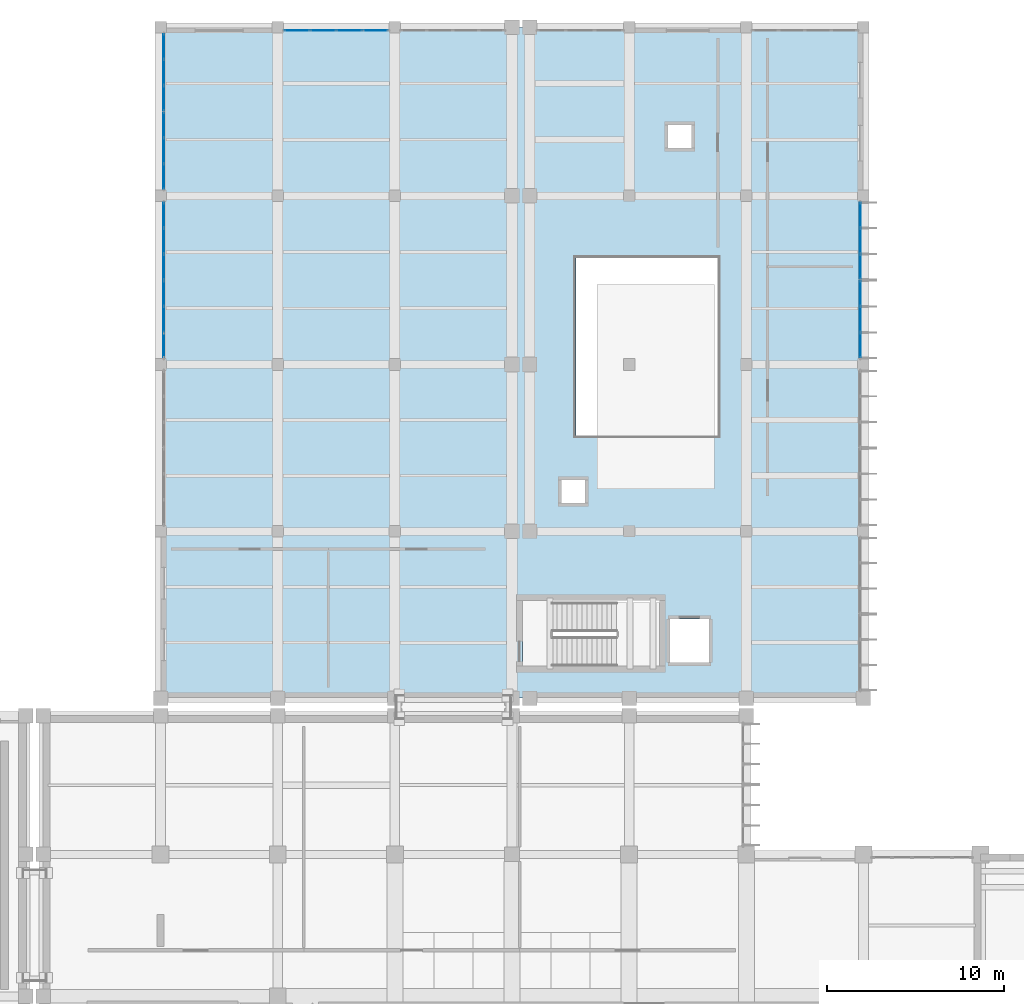
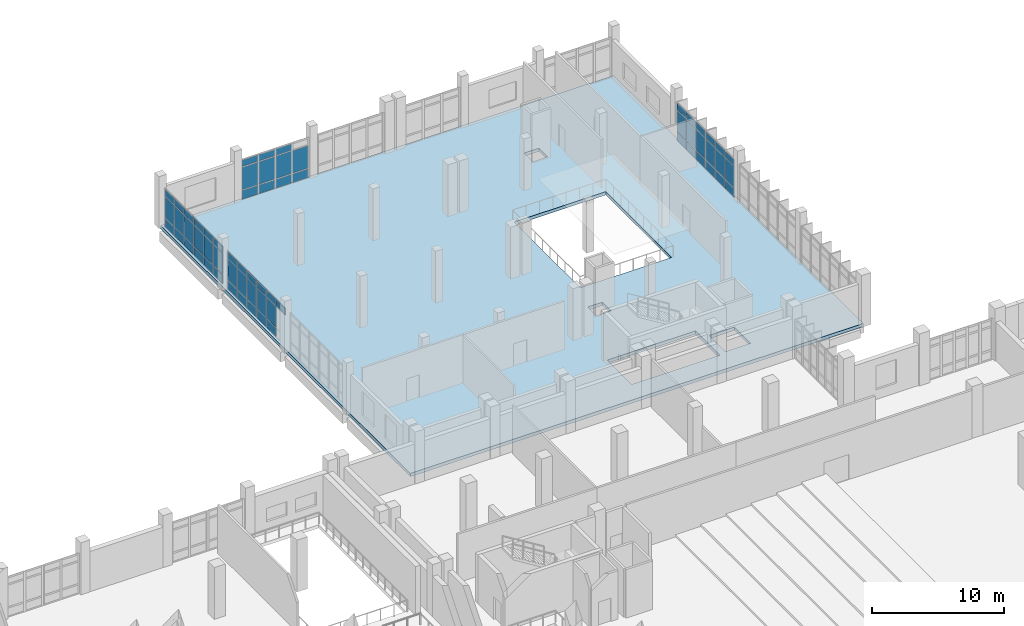
# One storey, part 59 of 90: 63 plates, 1 slab, 7 elements without a shape of their own.
"""IFC4 building model written with IfcOpenShell, lengths in metres."""

import ifcopenshell
import ifcopenshell.guid

model = None  # the IFC model being written
_history = None  # IfcOwnerHistory: only IFC2X3 demands one
_inside = {}  # id of a spatial element -> (the spatial element, [elements in it])
_under = {}  # id of a project, library or spatial element -> (it, [spatial elements below it])
_declared = {}  # id of a project -> (the project, [libraries it declares])
_typed = {}  # id of a type object -> (the type object, [elements of that type])
_made_of = {}  # id of a material, layer set ... -> (it, [elements and type objects made of it])


def new_model(schema):
    """Start an empty IFC model of exactly this schema.

    Asked for "IFC4X3", IfcOpenShell would pick the latest addendum, in which some entities
    have other attributes; the version numbers below select the first issue.
    IFC2X3 requires an IfcOwnerHistory on every rooted entity: one is made here for all.
    """
    global model, _history
    if schema == "IFC4X3":
        model = ifcopenshell.file(schema_version=(4, 3, 0, 0))
    else:
        model = ifcopenshell.file(schema=schema)
    _inside.clear()
    _under.clear()
    _declared.clear()
    _typed.clear()
    _made_of.clear()
    _history = None
    if model.schema == "IFC2X3":
        org = make("IfcOrganization", Name="unknown")
        user = make(
            "IfcPersonAndOrganization",
            ThePerson=make("IfcPerson", FamilyName="unknown"),
            TheOrganization=org,
        )
        app = make(
            "IfcApplication",
            ApplicationDeveloper=org,
            Version="unknown",
            ApplicationFullName="unknown",
            ApplicationIdentifier="unknown",
        )
        _history = make(
            "IfcOwnerHistory",
            OwningUser=user,
            OwningApplication=app,
            ChangeAction="ADDED",
            CreationDate=0,
        )
    return model


def make(cls, **values):
    """One entity of the class cls with the attributes given. An attribute that is None is left unset."""
    return model.create_entity(
        cls, **{name: value for name, value in values.items() if value is not None}
    )


def rooted(cls, **values):
    """An entity with a GlobalId (a new one), such as an element, a storey or a relation."""
    return make(cls, GlobalId=ifcopenshell.guid.new(), OwnerHistory=_history, **values)


def si_unit(unit_type, name, prefix=None):
    """IfcSIUnit, for example si_unit("LENGTHUNIT", "METRE", prefix="MILLI")."""
    return make("IfcSIUnit", UnitType=unit_type, Prefix=prefix, Name=name)


def assignment(units):
    """IfcUnitAssignment: the units of a project."""
    return None if units is None else make("IfcUnitAssignment", Units=units)


def point(xyz):
    """IfcCartesianPoint."""
    return None if xyz is None else make("IfcCartesianPoint", Coordinates=xyz)


def direction(xyz):
    """IfcDirection."""
    return None if xyz is None else make("IfcDirection", DirectionRatios=xyz)


def frame(location, z_axis=None, x_axis=None):
    """IfcAxis2Placement3D, a coordinate frame: its origin and axes. An axis left out is left unset."""
    return make(
        "IfcAxis2Placement3D",
        Location=point(location),
        Axis=direction(z_axis),
        RefDirection=direction(x_axis),
    )


def frame_2d(location, x_axis=None):
    """IfcAxis2Placement2D, a coordinate frame in the plane: its origin and x axis."""
    return make(
        "IfcAxis2Placement2D", Location=point(location), RefDirection=direction(x_axis)
    )


def origin():
    """The frame at (0, 0, 0) with its axes left unset."""
    return frame((0.0, 0.0, 0.0))


def origin_2d():
    """The frame at (0, 0) in the plane with its x axis left unset."""
    return frame_2d((0.0, 0.0))


def place(relative_to, where):
    """IfcLocalPlacement: puts the frame where relative to a parent placement (None: the world)."""
    return make(
        "IfcLocalPlacement", PlacementRelTo=relative_to, RelativePlacement=where
    )


def context(
    kind, dimensions, precision=None, world=None, true_north=None, identifier=None
):
    """IfcGeometricRepresentationContext, for example the 3D "Model" context."""
    return make(
        "IfcGeometricRepresentationContext",
        ContextIdentifier=identifier,
        ContextType=kind,
        CoordinateSpaceDimension=dimensions,
        Precision=precision,
        WorldCoordinateSystem=world,
        TrueNorth=true_north,
    )


def subcontext(parent, identifier, kind, view, scale=None):
    """IfcGeometricRepresentationSubContext, for example "Body" below "Model"."""
    return make(
        "IfcGeometricRepresentationSubContext",
        ContextIdentifier=identifier,
        ContextType=kind,
        ParentContext=parent,
        TargetScale=scale,
        TargetView=view,
    )


def project(units=None, contexts=None):
    """IfcProject with its units and contexts."""
    return rooted(
        "IfcProject",
        Name="project",
        RepresentationContexts=contexts,
        UnitsInContext=assignment(units),
    )


def spatial(cls, under=None, at=None, **own):
    """A site, building, storey or space (cls), placed at a placement, below another one or the project."""
    s = rooted(cls, ObjectPlacement=at, **own)
    if under is not None:
        _under.setdefault(under.id(), (under, []))[1].append(s)
    return s


def polyline(points):
    """IfcPolyline through the points."""
    return make("IfcPolyline", Points=[point(p) for p in points])


def profile(cls, at=None, kind="AREA", **sizes):
    """A parametric profile (cls). Its sizes go by their IFC names, for example OverallWidth=200.0."""
    return make(cls, ProfileType=kind, Position=at, **sizes)


def rectangle(**sizes):
    """IfcRectangleProfileDef."""
    return profile("IfcRectangleProfileDef", **sizes)


def outline(outer, holes=None, kind="AREA"):
    """IfcArbitraryClosedProfileDef: a profile drawn as a closed curve; with holes, ...WithVoids."""
    if holes is None:
        return make("IfcArbitraryClosedProfileDef", ProfileType=kind, OuterCurve=outer)
    return make(
        "IfcArbitraryProfileDefWithVoids",
        ProfileType=kind,
        OuterCurve=outer,
        InnerCurves=holes,
    )


def extrude(swept, where, along, depth):
    """IfcExtrudedAreaSolid: the profile swept, set in the frame where, extruded along a direction by depth."""
    return make(
        "IfcExtrudedAreaSolid",
        SweptArea=swept,
        Position=where,
        ExtrudedDirection=direction(along),
        Depth=depth,
    )


def shape(context_of_items, identifier, shape_type, items):
    """IfcShapeRepresentation: the items that make up one representation, for example the "Body"."""
    return make(
        "IfcShapeRepresentation",
        ContextOfItems=context_of_items,
        RepresentationIdentifier=identifier,
        RepresentationType=shape_type,
        Items=items,
    )


def material(Name=None, Category=None):
    """IfcMaterial."""
    return make("IfcMaterial", Name=Name, Category=Category)


def layer(
    of_material, thickness, ventilated=None, Name=None, Category=None, Priority=None
):
    """IfcMaterialLayer: one layer of a wall or slab, of a material (None: an air gap)."""
    return make(
        "IfcMaterialLayer",
        Material=of_material,
        LayerThickness=thickness,
        IsVentilated=ventilated,
        Name=Name,
        Category=Category,
        Priority=Priority,
    )


def layer_set(layers, Name=None):
    """IfcMaterialLayerSet."""
    return make("IfcMaterialLayerSet", MaterialLayers=layers, LayerSetName=Name)


def made_of(thing, what):
    """Note that an element or type object is made of a material, layer set ...; save() writes the relation."""
    if what is not None:
        _made_of.setdefault(what.id(), (what, []))[1].append(thing)
    return thing


def type_object(cls, material=None, **own):
    """A type object (cls), such as IfcWallType, which elements share."""
    return made_of(rooted(cls, **own), material)


def element(
    cls,
    number,
    at=None,
    inside=None,
    cuts=None,
    type_object=None,
    material=None,
    context=None,
    identifier="Body",
    shape_type=None,
    held_by="IfcProductDefinitionShape",
    body=None,
    shapes=None,
    **own,
):
    """One element of the class cls, such as IfcWall. Its Tag is "e" and its number.

    at: its placement. inside: the storey or other place that contains it. cuts: it is an
    opening in that element (IfcRelVoidsElement). A single representation is given by context,
    identifier, shape_type and body (its items); several are given by shapes. held_by: the class
    of the entity that holds the representations. save() writes the other relations.
    """
    e = rooted(cls, Tag="e%d" % number, ObjectPlacement=at, **own)
    if body is not None:
        shapes = [shape(context, identifier, shape_type, body)]
    if shapes is not None:
        e.Representation = make(held_by, Representations=shapes)
    if inside is not None:
        _inside.setdefault(inside.id(), (inside, []))[1].append(e)
    if cuts is not None:
        rooted(
            "IfcRelVoidsElement", RelatingBuildingElement=cuts, RelatedOpeningElement=e
        )
    if type_object is not None:
        _typed.setdefault(type_object.id(), (type_object, []))[1].append(e)
    return made_of(e, material)


def aggregate(whole, parts):
    """IfcRelAggregates: a whole, such as a stair, and the parts it consists of."""
    return rooted("IfcRelAggregates", RelatingObject=whole, RelatedObjects=parts)


def save(model, path):
    """Write the relations noted so far, then the file.

    IfcRelAggregates (storeys below a building ...), IfcRelContainedInSpatialStructure (elements
    in a storey), IfcRelDefinesByType, IfcRelAssociatesMaterial and IfcRelDeclares: one each for
    every whole, place, type object, material and project.
    """
    for whole, parts in _under.values():
        aggregate(whole, parts)
    for where, things in _inside.values():
        rooted(
            "IfcRelContainedInSpatialStructure",
            RelatedElements=things,
            RelatingStructure=where,
        )
    for kind, things in _typed.values():
        rooted("IfcRelDefinesByType", RelatedObjects=things, RelatingType=kind)
    for what, things in _made_of.values():
        rooted("IfcRelAssociatesMaterial", RelatedObjects=things, RelatingMaterial=what)
    for by, libraries in _declared.values():
        rooted("IfcRelDeclares", RelatingContext=by, RelatedDefinitions=libraries)
    model.write(path)


model = new_model("IFC4")

# Units and contexts
model_context = context("Model", 3, precision=1e-05, world=origin(), true_north=direction((0.0, 1.0)))
body_context = subcontext(model_context, "Body", "Model", "MODEL_VIEW")
ifc_project = project(units=[si_unit("LENGTHUNIT", "METRE"), si_unit("AREAUNIT", "SQUARE_METRE"), si_unit("VOLUMEUNIT", "CUBIC_METRE"), si_unit("PLANEANGLEUNIT", "RADIAN"), si_unit("MASSUNIT", "GRAM", prefix="KILO")], contexts=[model_context])

# Site, building, storey
site_placement = place(None, origin())
site = spatial("IfcSite", under=ifc_project, at=site_placement, CompositionType="ELEMENT")
building_placement = place(site_placement, origin())
building = spatial("IfcBuilding", under=site, at=building_placement, Name="Kelarvand Opera House", CompositionType="ELEMENT")
storey_placement = place(building_placement, frame((0.0, 0.0, 5.39990234375)))
storey = spatial("IfcBuildingStorey", under=building, at=storey_placement, Name="L01", CompositionType="ELEMENT", Elevation=5.39990234375)

# Curtain wall, plates
ifc_material_1 = material(Name="Thermally broken aluminium and low-E glazing", Category="aluminium")
ifc_layer_1 = layer(ifc_material_1, 0.179931640625, Name="Thermally broken aluminium and low-E glazing", Category="aluminium")
ifc_layer_set_1 = layer_set([ifc_layer_1], Name="Thermally broken aluminium and low-E glazing")
curtain_wall_type_1 = type_object("IfcCurtainWallType", Name="Unitised Low-E Curtain Wall 4411x3600 Mod 1450 CWF-41", PredefinedType="USERDEFINED", material=ifc_layer_set_1)
curtain_wall_1_placement = place(storey_placement, origin())
curtain_wall_1 = element("IfcCurtainWall", 1, at=curtain_wall_1_placement, inside=storey, type_object=curtain_wall_type_1, Name="V5 L01 Curtain Wall CWF-41 (174)", ObjectType="UNITISED CURTAIN WALL", PredefinedType="USERDEFINED")
ifc_material_2 = material(Name="Low-E laminated double glazing", Category="glass")
ifc_layer_2 = layer(ifc_material_2, 0.031982421875, Name="Low-E laminated double glazing", Category="glass")
ifc_layer_set_2 = layer_set([ifc_layer_2], Name="Low-E laminated double glazing")
plate_type = type_object("IfcPlateType", Name="Low-E Argon Double Glazed Curtain Panel 32mm", PredefinedType="CURTAIN_PANEL", material=ifc_layer_set_2)
plate_1_placement = place(storey_placement, frame((135.02001953125, 114.41357421875, 0.06494140625), z_axis=(0.0, 0.0, 1.0), x_axis=(0.0, -1.0, 0.0)))
plate_1 = element("IfcPlate", 2, at=plate_1_placement, type_object=plate_type, Name="CWF-41 panel 1.1", PredefinedType="CURTAIN_PANEL", context=body_context, shape_type="SweptSolid", body=[
    extrude(rectangle(XDim=1.372802734375, YDim=0.031982421875, at=origin_2d()), origin(), (0.0, 0.0, 1.0), 0.802490234375),
])
plate_2_placement = place(storey_placement, frame((135.02001953125, 114.41357421875, 0.9326171875), z_axis=(0.0, 0.0, 1.0), x_axis=(0.0, -1.0, 0.0)))
plate_2 = element("IfcPlate", 3, at=plate_2_placement, type_object=plate_type, Name="CWF-41 panel 1.2", PredefinedType="CURTAIN_PANEL", context=body_context, shape_type="SweptSolid", body=[
    extrude(rectangle(XDim=1.372802734375, YDim=0.031982421875, at=origin_2d()), origin(), (0.0, 0.0, 1.0), 1.93505859375),
])
plate_3_placement = place(storey_placement, frame((135.02001953125, 114.41357421875, 2.9326171875), z_axis=(0.0, 0.0, 1.0), x_axis=(0.0, -1.0, 0.0)))
plate_3 = element("IfcPlate", 4, at=plate_3_placement, type_object=plate_type, Name="CWF-41 panel 1.3", PredefinedType="CURTAIN_PANEL", context=body_context, shape_type="SweptSolid", body=[
    extrude(rectangle(XDim=1.372802734375, YDim=0.031982421875, at=origin_2d()), origin(), (0.0, 0.0, 1.0), 0.6025390625),
])
plate_4_placement = place(storey_placement, frame((135.02001953125, 112.95947265625, 0.06494140625), z_axis=(0.0, 0.0, 1.0), x_axis=(0.0, -1.0, 0.0)))
plate_4 = element("IfcPlate", 5, at=plate_4_placement, type_object=plate_type, Name="CWF-41 panel 2.1", PredefinedType="CURTAIN_PANEL", context=body_context, shape_type="SweptSolid", body=[
    extrude(rectangle(XDim=1.4052734375, YDim=0.031982421875, at=origin_2d()), origin(), (0.0, 0.0, 1.0), 0.802490234375),
])
plate_5_placement = place(storey_placement, frame((135.02001953125, 112.95947265625, 0.9326171875), z_axis=(0.0, 0.0, 1.0), x_axis=(0.0, -1.0, 0.0)))
plate_5 = element("IfcPlate", 6, at=plate_5_placement, type_object=plate_type, Name="CWF-41 panel 2.2", PredefinedType="CURTAIN_PANEL", context=body_context, shape_type="SweptSolid", body=[
    extrude(rectangle(XDim=1.4052734375, YDim=0.031982421875, at=origin_2d()), origin(), (0.0, 0.0, 1.0), 1.93505859375),
])
plate_6_placement = place(storey_placement, frame((135.02001953125, 112.95947265625, 2.9326171875), z_axis=(0.0, 0.0, 1.0), x_axis=(0.0, -1.0, 0.0)))
plate_6 = element("IfcPlate", 7, at=plate_6_placement, type_object=plate_type, Name="CWF-41 panel 2.3", PredefinedType="CURTAIN_PANEL", context=body_context, shape_type="SweptSolid", body=[
    extrude(rectangle(XDim=1.4052734375, YDim=0.031982421875, at=origin_2d()), origin(), (0.0, 0.0, 1.0), 0.6025390625),
])
plate_7_placement = place(storey_placement, frame((135.02001953125, 111.50537109375, 0.06494140625), z_axis=(0.0, 0.0, 1.0), x_axis=(0.0, -1.0, 0.0)))
plate_7 = element("IfcPlate", 8, at=plate_7_placement, type_object=plate_type, Name="CWF-41 panel 3.1", PredefinedType="CURTAIN_PANEL", context=body_context, shape_type="SweptSolid", body=[
    extrude(rectangle(XDim=1.372802734375, YDim=0.031982421875, at=origin_2d()), origin(), (0.0, 0.0, 1.0), 0.802490234375),
])
plate_8_placement = place(storey_placement, frame((135.02001953125, 111.50537109375, 0.9326171875), z_axis=(0.0, 0.0, 1.0), x_axis=(0.0, -1.0, 0.0)))
plate_8 = element("IfcPlate", 9, at=plate_8_placement, type_object=plate_type, Name="CWF-41 panel 3.2", PredefinedType="CURTAIN_PANEL", context=body_context, shape_type="SweptSolid", body=[
    extrude(rectangle(XDim=1.372802734375, YDim=0.031982421875, at=origin_2d()), origin(), (0.0, 0.0, 1.0), 1.93505859375),
])
plate_9_placement = place(storey_placement, frame((135.02001953125, 111.50537109375, 2.9326171875), z_axis=(0.0, 0.0, 1.0), x_axis=(0.0, -1.0, 0.0)))
plate_9 = element("IfcPlate", 10, at=plate_9_placement, type_object=plate_type, Name="CWF-41 panel 3.3", PredefinedType="CURTAIN_PANEL", context=body_context, shape_type="SweptSolid", body=[
    extrude(rectangle(XDim=1.372802734375, YDim=0.031982421875, at=origin_2d()), origin(), (0.0, 0.0, 1.0), 0.6025390625),
])
aggregate(curtain_wall_1, [plate_1, plate_2, plate_3, plate_4, plate_5, plate_6, plate_7, plate_8, plate_9])

curtain_wall_2_placement = place(storey_placement, origin())
curtain_wall_2 = element("IfcCurtainWall", 11, at=curtain_wall_2_placement, inside=storey, type_object=curtain_wall_type_1, Name="V5 L01 Curtain Wall CWF-41 (175)", ObjectType="UNITISED CURTAIN WALL", PredefinedType="USERDEFINED")
plate_10_placement = place(storey_placement, frame((135.02001953125, 109.997802734375, 0.06494140625), z_axis=(0.0, 0.0, 1.0), x_axis=(0.0, -1.0, 0.0)))
plate_10 = element("IfcPlate", 12, at=plate_10_placement, type_object=plate_type, Name="CWF-41 panel 1.1", PredefinedType="CURTAIN_PANEL", context=body_context, shape_type="SweptSolid", body=[
    extrude(rectangle(XDim=1.374267578125, YDim=0.031982421875, at=origin_2d()), origin(), (0.0, 0.0, 1.0), 0.802490234375),
])
plate_11_placement = place(storey_placement, frame((135.02001953125, 109.997802734375, 0.9326171875), z_axis=(0.0, 0.0, 1.0), x_axis=(0.0, -1.0, 0.0)))
plate_11 = element("IfcPlate", 13, at=plate_11_placement, type_object=plate_type, Name="CWF-41 panel 1.2", PredefinedType="CURTAIN_PANEL", context=body_context, shape_type="SweptSolid", body=[
    extrude(rectangle(XDim=1.374267578125, YDim=0.031982421875, at=origin_2d()), origin(), (0.0, 0.0, 1.0), 1.93505859375),
])
plate_12_placement = place(storey_placement, frame((135.02001953125, 109.997802734375, 2.9326171875), z_axis=(0.0, 0.0, 1.0), x_axis=(0.0, -1.0, 0.0)))
plate_12 = element("IfcPlate", 14, at=plate_12_placement, type_object=plate_type, Name="CWF-41 panel 1.3", PredefinedType="CURTAIN_PANEL", context=body_context, shape_type="SweptSolid", body=[
    extrude(rectangle(XDim=1.374267578125, YDim=0.031982421875, at=origin_2d()), origin(), (0.0, 0.0, 1.0), 0.6025390625),
])
plate_13_placement = place(storey_placement, frame((135.02001953125, 108.54248046875, 0.06494140625), z_axis=(0.0, 0.0, 1.0), x_axis=(0.0, -1.0, 0.0)))
plate_13 = element("IfcPlate", 15, at=plate_13_placement, type_object=plate_type, Name="CWF-41 panel 2.1", PredefinedType="CURTAIN_PANEL", context=body_context, shape_type="SweptSolid", body=[
    extrude(rectangle(XDim=1.40673828125, YDim=0.031982421875, at=origin_2d()), origin(), (0.0, 0.0, 1.0), 0.802490234375),
])
plate_14_placement = place(storey_placement, frame((135.02001953125, 108.54248046875, 0.9326171875), z_axis=(0.0, 0.0, 1.0), x_axis=(0.0, -1.0, 0.0)))
plate_14 = element("IfcPlate", 16, at=plate_14_placement, type_object=plate_type, Name="CWF-41 panel 2.2", PredefinedType="CURTAIN_PANEL", context=body_context, shape_type="SweptSolid", body=[
    extrude(rectangle(XDim=1.40673828125, YDim=0.031982421875, at=origin_2d()), origin(), (0.0, 0.0, 1.0), 1.93505859375),
])
plate_15_placement = place(storey_placement, frame((135.02001953125, 108.54248046875, 2.9326171875), z_axis=(0.0, 0.0, 1.0), x_axis=(0.0, -1.0, 0.0)))
plate_15 = element("IfcPlate", 17, at=plate_15_placement, type_object=plate_type, Name="CWF-41 panel 2.3", PredefinedType="CURTAIN_PANEL", context=body_context, shape_type="SweptSolid", body=[
    extrude(rectangle(XDim=1.40673828125, YDim=0.031982421875, at=origin_2d()), origin(), (0.0, 0.0, 1.0), 0.6025390625),
])
plate_16_placement = place(storey_placement, frame((135.02001953125, 107.087158203125, 0.06494140625), z_axis=(0.0, 0.0, 1.0), x_axis=(0.0, -1.0, 0.0)))
plate_16 = element("IfcPlate", 18, at=plate_16_placement, type_object=plate_type, Name="CWF-41 panel 3.1", PredefinedType="CURTAIN_PANEL", context=body_context, shape_type="SweptSolid", body=[
    extrude(rectangle(XDim=1.374267578125, YDim=0.031982421875, at=origin_2d()), origin(), (0.0, 0.0, 1.0), 0.802490234375),
])
plate_17_placement = place(storey_placement, frame((135.02001953125, 107.087158203125, 0.9326171875), z_axis=(0.0, 0.0, 1.0), x_axis=(0.0, -1.0, 0.0)))
plate_17 = element("IfcPlate", 19, at=plate_17_placement, type_object=plate_type, Name="CWF-41 panel 3.2", PredefinedType="CURTAIN_PANEL", context=body_context, shape_type="SweptSolid", body=[
    extrude(rectangle(XDim=1.374267578125, YDim=0.031982421875, at=origin_2d()), origin(), (0.0, 0.0, 1.0), 1.93505859375),
])
plate_18_placement = place(storey_placement, frame((135.02001953125, 107.087158203125, 2.9326171875), z_axis=(0.0, 0.0, 1.0), x_axis=(0.0, -1.0, 0.0)))
plate_18 = element("IfcPlate", 20, at=plate_18_placement, type_object=plate_type, Name="CWF-41 panel 3.3", PredefinedType="CURTAIN_PANEL", context=body_context, shape_type="SweptSolid", body=[
    extrude(rectangle(XDim=1.374267578125, YDim=0.031982421875, at=origin_2d()), origin(), (0.0, 0.0, 1.0), 0.6025390625),
])
aggregate(curtain_wall_2, [plate_10, plate_11, plate_12, plate_13, plate_14, plate_15, plate_16, plate_17, plate_18])

ifc_layer_3 = layer(ifc_material_1, 0.179931640625, Name="Thermally broken aluminium and low-E glazing", Category="aluminium")
ifc_layer_set_3 = layer_set([ifc_layer_3], Name="Thermally broken aluminium and low-E glazing")
curtain_wall_type_2 = type_object("IfcCurtainWallType", Name="Unitised Low-E Curtain Wall 5930x3750 Mod 1450 CWF-44", PredefinedType="USERDEFINED", material=ifc_layer_set_3)
curtain_wall_3_placement = place(storey_placement, origin())
curtain_wall_3 = element("IfcCurtainWall", 21, at=curtain_wall_3_placement, inside=storey, type_object=curtain_wall_type_2, Name="V5 L01 Curtain Wall CWF-44 (180)", ObjectType="UNITISED CURTAIN WALL", PredefinedType="USERDEFINED")
plate_19_placement = place(storey_placement, frame((103.29248046875, 124.820068359375, 0.06494140625), z_axis=(0.0, 0.0, 1.0), x_axis=(1.0, 0.0, 0.0)))
plate_19 = element("IfcPlate", 22, at=plate_19_placement, type_object=plate_type, Name="CWF-44 panel 1.1", PredefinedType="CURTAIN_PANEL", context=body_context, shape_type="SweptSolid", body=[
    extrude(rectangle(XDim=1.385009765625, YDim=0.031982421875, at=origin_2d()), origin(), (0.0, 0.0, 1.0), 0.802490234375),
])
plate_20_placement = place(storey_placement, frame((103.29248046875, 124.820068359375, 0.9326171875), z_axis=(0.0, 0.0, 1.0), x_axis=(1.0, 0.0, 0.0)))
plate_20 = element("IfcPlate", 23, at=plate_20_placement, type_object=plate_type, Name="CWF-44 panel 1.2", PredefinedType="CURTAIN_PANEL", context=body_context, shape_type="SweptSolid", body=[
    extrude(rectangle(XDim=1.385009765625, YDim=0.031982421875, at=origin_2d()), origin(), (0.0, 0.0, 1.0), 2.0849609375),
])
plate_21_placement = place(storey_placement, frame((103.29248046875, 124.820068359375, 3.08251953125), z_axis=(0.0, 0.0, 1.0), x_axis=(1.0, 0.0, 0.0)))
plate_21 = element("IfcPlate", 24, at=plate_21_placement, type_object=plate_type, Name="CWF-44 panel 1.3", PredefinedType="CURTAIN_PANEL", context=body_context, shape_type="SweptSolid", body=[
    extrude(rectangle(XDim=1.385009765625, YDim=0.031982421875, at=origin_2d()), origin(), (0.0, 0.0, 1.0), 0.6025390625),
])
plate_22_placement = place(storey_placement, frame((104.7587890625, 124.820068359375, 0.06494140625), z_axis=(0.0, 0.0, 1.0), x_axis=(1.0, 0.0, 0.0)))
plate_22 = element("IfcPlate", 25, at=plate_22_placement, type_object=plate_type, Name="CWF-44 panel 2.1", PredefinedType="CURTAIN_PANEL", context=body_context, shape_type="SweptSolid", body=[
    extrude(rectangle(XDim=1.41748046875, YDim=0.031982421875, at=origin_2d()), origin(), (0.0, 0.0, 1.0), 0.802490234375),
])
plate_23_placement = place(storey_placement, frame((104.7587890625, 124.820068359375, 0.9326171875), z_axis=(0.0, 0.0, 1.0), x_axis=(1.0, 0.0, 0.0)))
plate_23 = element("IfcPlate", 26, at=plate_23_placement, type_object=plate_type, Name="CWF-44 panel 2.2", PredefinedType="CURTAIN_PANEL", context=body_context, shape_type="SweptSolid", body=[
    extrude(rectangle(XDim=1.41748046875, YDim=0.031982421875, at=origin_2d()), origin(), (0.0, 0.0, 1.0), 2.0849609375),
])
plate_24_placement = place(storey_placement, frame((104.7587890625, 124.820068359375, 3.08251953125), z_axis=(0.0, 0.0, 1.0), x_axis=(1.0, 0.0, 0.0)))
plate_24 = element("IfcPlate", 27, at=plate_24_placement, type_object=plate_type, Name="CWF-44 panel 2.3", PredefinedType="CURTAIN_PANEL", context=body_context, shape_type="SweptSolid", body=[
    extrude(rectangle(XDim=1.41748046875, YDim=0.031982421875, at=origin_2d()), origin(), (0.0, 0.0, 1.0), 0.6025390625),
])
plate_25_placement = place(storey_placement, frame((106.2412109375, 124.820068359375, 0.06494140625), z_axis=(0.0, 0.0, 1.0), x_axis=(1.0, 0.0, 0.0)))
plate_25 = element("IfcPlate", 28, at=plate_25_placement, type_object=plate_type, Name="CWF-44 panel 3.1", PredefinedType="CURTAIN_PANEL", context=body_context, shape_type="SweptSolid", body=[
    extrude(rectangle(XDim=1.41748046875, YDim=0.031982421875, at=origin_2d()), origin(), (0.0, 0.0, 1.0), 0.802490234375),
])
plate_26_placement = place(storey_placement, frame((106.2412109375, 124.820068359375, 0.9326171875), z_axis=(0.0, 0.0, 1.0), x_axis=(1.0, 0.0, 0.0)))
plate_26 = element("IfcPlate", 29, at=plate_26_placement, type_object=plate_type, Name="CWF-44 panel 3.2", PredefinedType="CURTAIN_PANEL", context=body_context, shape_type="SweptSolid", body=[
    extrude(rectangle(XDim=1.41748046875, YDim=0.031982421875, at=origin_2d()), origin(), (0.0, 0.0, 1.0), 2.0849609375),
])
plate_27_placement = place(storey_placement, frame((106.2412109375, 124.820068359375, 3.08251953125), z_axis=(0.0, 0.0, 1.0), x_axis=(1.0, 0.0, 0.0)))
plate_27 = element("IfcPlate", 30, at=plate_27_placement, type_object=plate_type, Name="CWF-44 panel 3.3", PredefinedType="CURTAIN_PANEL", context=body_context, shape_type="SweptSolid", body=[
    extrude(rectangle(XDim=1.41748046875, YDim=0.031982421875, at=origin_2d()), origin(), (0.0, 0.0, 1.0), 0.6025390625),
])
plate_28_placement = place(storey_placement, frame((107.70751953125, 124.820068359375, 0.06494140625), z_axis=(0.0, 0.0, 1.0), x_axis=(1.0, 0.0, 0.0)))
plate_28 = element("IfcPlate", 31, at=plate_28_placement, type_object=plate_type, Name="CWF-44 panel 4.1", PredefinedType="CURTAIN_PANEL", context=body_context, shape_type="SweptSolid", body=[
    extrude(rectangle(XDim=1.385009765625, YDim=0.031982421875, at=origin_2d()), origin(), (0.0, 0.0, 1.0), 0.802490234375),
])
plate_29_placement = place(storey_placement, frame((107.70751953125, 124.820068359375, 0.9326171875), z_axis=(0.0, 0.0, 1.0), x_axis=(1.0, 0.0, 0.0)))
plate_29 = element("IfcPlate", 32, at=plate_29_placement, type_object=plate_type, Name="CWF-44 panel 4.2", PredefinedType="CURTAIN_PANEL", context=body_context, shape_type="SweptSolid", body=[
    extrude(rectangle(XDim=1.385009765625, YDim=0.031982421875, at=origin_2d()), origin(), (0.0, 0.0, 1.0), 2.0849609375),
])
aggregate(curtain_wall_3, [plate_19, plate_20, plate_21, plate_22, plate_23, plate_24, plate_25, plate_26, plate_27, plate_28, plate_29])

curtain_wall_4_placement = place(storey_placement, origin())
curtain_wall_4 = element("IfcCurtainWall", 33, at=curtain_wall_4_placement, inside=storey, type_object=curtain_wall_type_1, Name="V5 L01 Curtain Wall CWF-41 (186)", ObjectType="UNITISED CURTAIN WALL", PredefinedType="USERDEFINED")
plate_30_placement = place(storey_placement, frame((95.780029296875, 107.08642578125, 2.9326171875), z_axis=(0.0, 0.0, 1.0), x_axis=(0.0, 1.0, 0.0)))
plate_30 = element("IfcPlate", 34, at=plate_30_placement, type_object=plate_type, Name="CWF-41 panel 1.3", PredefinedType="CURTAIN_PANEL", context=body_context, shape_type="SweptSolid", body=[
    extrude(rectangle(XDim=1.372802734375, YDim=0.031982421875, at=origin_2d()), origin(), (0.0, 0.0, 1.0), 0.6025390625),
])
plate_31_placement = place(storey_placement, frame((95.780029296875, 108.54052734375, 0.06494140625), z_axis=(0.0, 0.0, 1.0), x_axis=(0.0, 1.0, 0.0)))
plate_31 = element("IfcPlate", 35, at=plate_31_placement, type_object=plate_type, Name="CWF-41 panel 2.1", PredefinedType="CURTAIN_PANEL", context=body_context, shape_type="SweptSolid", body=[
    extrude(rectangle(XDim=1.4052734375, YDim=0.031982421875, at=origin_2d()), origin(), (0.0, 0.0, 1.0), 0.802490234375),
])
plate_32_placement = place(storey_placement, frame((95.780029296875, 108.54052734375, 0.9326171875), z_axis=(0.0, 0.0, 1.0), x_axis=(0.0, 1.0, 0.0)))
plate_32 = element("IfcPlate", 36, at=plate_32_placement, type_object=plate_type, Name="CWF-41 panel 2.2", PredefinedType="CURTAIN_PANEL", context=body_context, shape_type="SweptSolid", body=[
    extrude(rectangle(XDim=1.4052734375, YDim=0.031982421875, at=origin_2d()), origin(), (0.0, 0.0, 1.0), 1.93505859375),
])
plate_33_placement = place(storey_placement, frame((95.780029296875, 108.54052734375, 2.9326171875), z_axis=(0.0, 0.0, 1.0), x_axis=(0.0, 1.0, 0.0)))
plate_33 = element("IfcPlate", 37, at=plate_33_placement, type_object=plate_type, Name="CWF-41 panel 2.3", PredefinedType="CURTAIN_PANEL", context=body_context, shape_type="SweptSolid", body=[
    extrude(rectangle(XDim=1.4052734375, YDim=0.031982421875, at=origin_2d()), origin(), (0.0, 0.0, 1.0), 0.6025390625),
])
plate_34_placement = place(storey_placement, frame((95.780029296875, 109.99462890625, 0.06494140625), z_axis=(0.0, 0.0, 1.0), x_axis=(0.0, 1.0, 0.0)))
plate_34 = element("IfcPlate", 38, at=plate_34_placement, type_object=plate_type, Name="CWF-41 panel 3.1", PredefinedType="CURTAIN_PANEL", context=body_context, shape_type="SweptSolid", body=[
    extrude(rectangle(XDim=1.372802734375, YDim=0.031982421875, at=origin_2d()), origin(), (0.0, 0.0, 1.0), 0.802490234375),
])
plate_35_placement = place(storey_placement, frame((95.780029296875, 109.99462890625, 0.9326171875), z_axis=(0.0, 0.0, 1.0), x_axis=(0.0, 1.0, 0.0)))
plate_35 = element("IfcPlate", 39, at=plate_35_placement, type_object=plate_type, Name="CWF-41 panel 3.2", PredefinedType="CURTAIN_PANEL", context=body_context, shape_type="SweptSolid", body=[
    extrude(rectangle(XDim=1.372802734375, YDim=0.031982421875, at=origin_2d()), origin(), (0.0, 0.0, 1.0), 1.93505859375),
])
plate_36_placement = place(storey_placement, frame((95.780029296875, 109.99462890625, 2.9326171875), z_axis=(0.0, 0.0, 1.0), x_axis=(0.0, 1.0, 0.0)))
plate_36 = element("IfcPlate", 40, at=plate_36_placement, type_object=plate_type, Name="CWF-41 panel 3.3", PredefinedType="CURTAIN_PANEL", context=body_context, shape_type="SweptSolid", body=[
    extrude(rectangle(XDim=1.372802734375, YDim=0.031982421875, at=origin_2d()), origin(), (0.0, 0.0, 1.0), 0.6025390625),
])
aggregate(curtain_wall_4, [plate_30, plate_31, plate_32, plate_33, plate_34, plate_35, plate_36])

curtain_wall_5_placement = place(storey_placement, origin())
curtain_wall_5 = element("IfcCurtainWall", 41, at=curtain_wall_5_placement, inside=storey, type_object=curtain_wall_type_1, Name="V5 L01 Curtain Wall CWF-41 (187)", ObjectType="UNITISED CURTAIN WALL", PredefinedType="USERDEFINED")
plate_37_placement = place(storey_placement, frame((95.780029296875, 111.502197265625, 0.06494140625), z_axis=(0.0, 0.0, 1.0), x_axis=(0.0, 1.0, 0.0)))
plate_37 = element("IfcPlate", 42, at=plate_37_placement, type_object=plate_type, Name="CWF-41 panel 1.1", PredefinedType="CURTAIN_PANEL", context=body_context, shape_type="SweptSolid", body=[
    extrude(rectangle(XDim=1.374267578125, YDim=0.031982421875, at=origin_2d()), origin(), (0.0, 0.0, 1.0), 0.802490234375),
])
plate_38_placement = place(storey_placement, frame((95.780029296875, 111.502197265625, 0.9326171875), z_axis=(0.0, 0.0, 1.0), x_axis=(0.0, 1.0, 0.0)))
plate_38 = element("IfcPlate", 43, at=plate_38_placement, type_object=plate_type, Name="CWF-41 panel 1.2", PredefinedType="CURTAIN_PANEL", context=body_context, shape_type="SweptSolid", body=[
    extrude(rectangle(XDim=1.374267578125, YDim=0.031982421875, at=origin_2d()), origin(), (0.0, 0.0, 1.0), 1.93505859375),
])
plate_39_placement = place(storey_placement, frame((95.780029296875, 111.502197265625, 2.9326171875), z_axis=(0.0, 0.0, 1.0), x_axis=(0.0, 1.0, 0.0)))
plate_39 = element("IfcPlate", 44, at=plate_39_placement, type_object=plate_type, Name="CWF-41 panel 1.3", PredefinedType="CURTAIN_PANEL", context=body_context, shape_type="SweptSolid", body=[
    extrude(rectangle(XDim=1.374267578125, YDim=0.031982421875, at=origin_2d()), origin(), (0.0, 0.0, 1.0), 0.6025390625),
])
plate_40_placement = place(storey_placement, frame((95.780029296875, 112.95751953125, 0.06494140625), z_axis=(0.0, 0.0, 1.0), x_axis=(0.0, 1.0, 0.0)))
plate_40 = element("IfcPlate", 45, at=plate_40_placement, type_object=plate_type, Name="CWF-41 panel 2.1", PredefinedType="CURTAIN_PANEL", context=body_context, shape_type="SweptSolid", body=[
    extrude(rectangle(XDim=1.40673828125, YDim=0.031982421875, at=origin_2d()), origin(), (0.0, 0.0, 1.0), 0.802490234375),
])
plate_41_placement = place(storey_placement, frame((95.780029296875, 112.95751953125, 0.9326171875), z_axis=(0.0, 0.0, 1.0), x_axis=(0.0, 1.0, 0.0)))
plate_41 = element("IfcPlate", 46, at=plate_41_placement, type_object=plate_type, Name="CWF-41 panel 2.2", PredefinedType="CURTAIN_PANEL", context=body_context, shape_type="SweptSolid", body=[
    extrude(rectangle(XDim=1.40673828125, YDim=0.031982421875, at=origin_2d()), origin(), (0.0, 0.0, 1.0), 1.93505859375),
])
plate_42_placement = place(storey_placement, frame((95.780029296875, 112.95751953125, 2.9326171875), z_axis=(0.0, 0.0, 1.0), x_axis=(0.0, 1.0, 0.0)))
plate_42 = element("IfcPlate", 47, at=plate_42_placement, type_object=plate_type, Name="CWF-41 panel 2.3", PredefinedType="CURTAIN_PANEL", context=body_context, shape_type="SweptSolid", body=[
    extrude(rectangle(XDim=1.40673828125, YDim=0.031982421875, at=origin_2d()), origin(), (0.0, 0.0, 1.0), 0.6025390625),
])
plate_43_placement = place(storey_placement, frame((95.780029296875, 114.412841796875, 0.06494140625), z_axis=(0.0, 0.0, 1.0), x_axis=(0.0, 1.0, 0.0)))
plate_43 = element("IfcPlate", 48, at=plate_43_placement, type_object=plate_type, Name="CWF-41 panel 3.1", PredefinedType="CURTAIN_PANEL", context=body_context, shape_type="SweptSolid", body=[
    extrude(rectangle(XDim=1.374267578125, YDim=0.031982421875, at=origin_2d()), origin(), (0.0, 0.0, 1.0), 0.802490234375),
])
plate_44_placement = place(storey_placement, frame((95.780029296875, 114.412841796875, 0.9326171875), z_axis=(0.0, 0.0, 1.0), x_axis=(0.0, 1.0, 0.0)))
plate_44 = element("IfcPlate", 49, at=plate_44_placement, type_object=plate_type, Name="CWF-41 panel 3.2", PredefinedType="CURTAIN_PANEL", context=body_context, shape_type="SweptSolid", body=[
    extrude(rectangle(XDim=1.374267578125, YDim=0.031982421875, at=origin_2d()), origin(), (0.0, 0.0, 1.0), 1.93505859375),
])
plate_45_placement = place(storey_placement, frame((95.780029296875, 114.412841796875, 2.9326171875), z_axis=(0.0, 0.0, 1.0), x_axis=(0.0, 1.0, 0.0)))
plate_45 = element("IfcPlate", 50, at=plate_45_placement, type_object=plate_type, Name="CWF-41 panel 3.3", PredefinedType="CURTAIN_PANEL", context=body_context, shape_type="SweptSolid", body=[
    extrude(rectangle(XDim=1.374267578125, YDim=0.031982421875, at=origin_2d()), origin(), (0.0, 0.0, 1.0), 0.6025390625),
])
aggregate(curtain_wall_5, [plate_37, plate_38, plate_39, plate_40, plate_41, plate_42, plate_43, plate_44, plate_45])

curtain_wall_6_placement = place(storey_placement, origin())
curtain_wall_6 = element("IfcCurtainWall", 51, at=curtain_wall_6_placement, inside=storey, type_object=curtain_wall_type_1, Name="V5 L01 Curtain Wall CWF-41 (188)", ObjectType="UNITISED CURTAIN WALL", PredefinedType="USERDEFINED")
plate_46_placement = place(storey_placement, frame((95.780029296875, 116.58642578125, 0.06494140625), z_axis=(0.0, 0.0, 1.0), x_axis=(0.0, 1.0, 0.0)))
plate_46 = element("IfcPlate", 52, at=plate_46_placement, type_object=plate_type, Name="CWF-41 panel 1.1", PredefinedType="CURTAIN_PANEL", context=body_context, shape_type="SweptSolid", body=[
    extrude(rectangle(XDim=1.372802734375, YDim=0.031982421875, at=origin_2d()), origin(), (0.0, 0.0, 1.0), 0.802490234375),
])
plate_47_placement = place(storey_placement, frame((95.780029296875, 116.58642578125, 0.9326171875), z_axis=(0.0, 0.0, 1.0), x_axis=(0.0, 1.0, 0.0)))
plate_47 = element("IfcPlate", 53, at=plate_47_placement, type_object=plate_type, Name="CWF-41 panel 1.2", PredefinedType="CURTAIN_PANEL", context=body_context, shape_type="SweptSolid", body=[
    extrude(rectangle(XDim=1.372802734375, YDim=0.031982421875, at=origin_2d()), origin(), (0.0, 0.0, 1.0), 1.93505859375),
])
plate_48_placement = place(storey_placement, frame((95.780029296875, 116.58642578125, 2.9326171875), z_axis=(0.0, 0.0, 1.0), x_axis=(0.0, 1.0, 0.0)))
plate_48 = element("IfcPlate", 54, at=plate_48_placement, type_object=plate_type, Name="CWF-41 panel 1.3", PredefinedType="CURTAIN_PANEL", context=body_context, shape_type="SweptSolid", body=[
    extrude(rectangle(XDim=1.372802734375, YDim=0.031982421875, at=origin_2d()), origin(), (0.0, 0.0, 1.0), 0.6025390625),
])
plate_49_placement = place(storey_placement, frame((95.780029296875, 118.04052734375, 0.06494140625), z_axis=(0.0, 0.0, 1.0), x_axis=(0.0, 1.0, 0.0)))
plate_49 = element("IfcPlate", 55, at=plate_49_placement, type_object=plate_type, Name="CWF-41 panel 2.1", PredefinedType="CURTAIN_PANEL", context=body_context, shape_type="SweptSolid", body=[
    extrude(rectangle(XDim=1.4052734375, YDim=0.031982421875, at=origin_2d()), origin(), (0.0, 0.0, 1.0), 0.802490234375),
])
plate_50_placement = place(storey_placement, frame((95.780029296875, 118.04052734375, 0.9326171875), z_axis=(0.0, 0.0, 1.0), x_axis=(0.0, 1.0, 0.0)))
plate_50 = element("IfcPlate", 56, at=plate_50_placement, type_object=plate_type, Name="CWF-41 panel 2.2", PredefinedType="CURTAIN_PANEL", context=body_context, shape_type="SweptSolid", body=[
    extrude(rectangle(XDim=1.4052734375, YDim=0.031982421875, at=origin_2d()), origin(), (0.0, 0.0, 1.0), 1.93505859375),
])
plate_51_placement = place(storey_placement, frame((95.780029296875, 118.04052734375, 2.9326171875), z_axis=(0.0, 0.0, 1.0), x_axis=(0.0, 1.0, 0.0)))
plate_51 = element("IfcPlate", 57, at=plate_51_placement, type_object=plate_type, Name="CWF-41 panel 2.3", PredefinedType="CURTAIN_PANEL", context=body_context, shape_type="SweptSolid", body=[
    extrude(rectangle(XDim=1.4052734375, YDim=0.031982421875, at=origin_2d()), origin(), (0.0, 0.0, 1.0), 0.6025390625),
])
plate_52_placement = place(storey_placement, frame((95.780029296875, 119.49462890625, 0.06494140625), z_axis=(0.0, 0.0, 1.0), x_axis=(0.0, 1.0, 0.0)))
plate_52 = element("IfcPlate", 58, at=plate_52_placement, type_object=plate_type, Name="CWF-41 panel 3.1", PredefinedType="CURTAIN_PANEL", context=body_context, shape_type="SweptSolid", body=[
    extrude(rectangle(XDim=1.372802734375, YDim=0.031982421875, at=origin_2d()), origin(), (0.0, 0.0, 1.0), 0.802490234375),
])
plate_53_placement = place(storey_placement, frame((95.780029296875, 119.49462890625, 0.9326171875), z_axis=(0.0, 0.0, 1.0), x_axis=(0.0, 1.0, 0.0)))
plate_53 = element("IfcPlate", 59, at=plate_53_placement, type_object=plate_type, Name="CWF-41 panel 3.2", PredefinedType="CURTAIN_PANEL", context=body_context, shape_type="SweptSolid", body=[
    extrude(rectangle(XDim=1.372802734375, YDim=0.031982421875, at=origin_2d()), origin(), (0.0, 0.0, 1.0), 1.93505859375),
])
plate_54_placement = place(storey_placement, frame((95.780029296875, 119.49462890625, 2.9326171875), z_axis=(0.0, 0.0, 1.0), x_axis=(0.0, 1.0, 0.0)))
plate_54 = element("IfcPlate", 60, at=plate_54_placement, type_object=plate_type, Name="CWF-41 panel 3.3", PredefinedType="CURTAIN_PANEL", context=body_context, shape_type="SweptSolid", body=[
    extrude(rectangle(XDim=1.372802734375, YDim=0.031982421875, at=origin_2d()), origin(), (0.0, 0.0, 1.0), 0.6025390625),
])
aggregate(curtain_wall_6, [plate_46, plate_47, plate_48, plate_49, plate_50, plate_51, plate_52, plate_53, plate_54])

curtain_wall_7_placement = place(storey_placement, origin())
curtain_wall_7 = element("IfcCurtainWall", 61, at=curtain_wall_7_placement, inside=storey, type_object=curtain_wall_type_1, Name="V5 L01 Curtain Wall CWF-41 (189)", ObjectType="UNITISED CURTAIN WALL", PredefinedType="USERDEFINED")
plate_55_placement = place(storey_placement, frame((95.780029296875, 121.002197265625, 0.06494140625), z_axis=(0.0, 0.0, 1.0), x_axis=(0.0, 1.0, 0.0)))
plate_55 = element("IfcPlate", 62, at=plate_55_placement, type_object=plate_type, Name="CWF-41 panel 1.1", PredefinedType="CURTAIN_PANEL", context=body_context, shape_type="SweptSolid", body=[
    extrude(rectangle(XDim=1.374267578125, YDim=0.031982421875, at=origin_2d()), origin(), (0.0, 0.0, 1.0), 0.802490234375),
])
plate_56_placement = place(storey_placement, frame((95.780029296875, 121.002197265625, 0.9326171875), z_axis=(0.0, 0.0, 1.0), x_axis=(0.0, 1.0, 0.0)))
plate_56 = element("IfcPlate", 63, at=plate_56_placement, type_object=plate_type, Name="CWF-41 panel 1.2", PredefinedType="CURTAIN_PANEL", context=body_context, shape_type="SweptSolid", body=[
    extrude(rectangle(XDim=1.374267578125, YDim=0.031982421875, at=origin_2d()), origin(), (0.0, 0.0, 1.0), 1.93505859375),
])
plate_57_placement = place(storey_placement, frame((95.780029296875, 121.002197265625, 2.9326171875), z_axis=(0.0, 0.0, 1.0), x_axis=(0.0, 1.0, 0.0)))
plate_57 = element("IfcPlate", 64, at=plate_57_placement, type_object=plate_type, Name="CWF-41 panel 1.3", PredefinedType="CURTAIN_PANEL", context=body_context, shape_type="SweptSolid", body=[
    extrude(rectangle(XDim=1.374267578125, YDim=0.031982421875, at=origin_2d()), origin(), (0.0, 0.0, 1.0), 0.6025390625),
])
plate_58_placement = place(storey_placement, frame((95.780029296875, 122.45751953125, 0.06494140625), z_axis=(0.0, 0.0, 1.0), x_axis=(0.0, 1.0, 0.0)))
plate_58 = element("IfcPlate", 65, at=plate_58_placement, type_object=plate_type, Name="CWF-41 panel 2.1", PredefinedType="CURTAIN_PANEL", context=body_context, shape_type="SweptSolid", body=[
    extrude(rectangle(XDim=1.40673828125, YDim=0.031982421875, at=origin_2d()), origin(), (0.0, 0.0, 1.0), 0.802490234375),
])
plate_59_placement = place(storey_placement, frame((95.780029296875, 122.45751953125, 0.9326171875), z_axis=(0.0, 0.0, 1.0), x_axis=(0.0, 1.0, 0.0)))
plate_59 = element("IfcPlate", 66, at=plate_59_placement, type_object=plate_type, Name="CWF-41 panel 2.2", PredefinedType="CURTAIN_PANEL", context=body_context, shape_type="SweptSolid", body=[
    extrude(rectangle(XDim=1.40673828125, YDim=0.031982421875, at=origin_2d()), origin(), (0.0, 0.0, 1.0), 1.93505859375),
])
plate_60_placement = place(storey_placement, frame((95.780029296875, 122.45751953125, 2.9326171875), z_axis=(0.0, 0.0, 1.0), x_axis=(0.0, 1.0, 0.0)))
plate_60 = element("IfcPlate", 67, at=plate_60_placement, type_object=plate_type, Name="CWF-41 panel 2.3", PredefinedType="CURTAIN_PANEL", context=body_context, shape_type="SweptSolid", body=[
    extrude(rectangle(XDim=1.40673828125, YDim=0.031982421875, at=origin_2d()), origin(), (0.0, 0.0, 1.0), 0.6025390625),
])
plate_61_placement = place(storey_placement, frame((95.780029296875, 123.912841796875, 0.06494140625), z_axis=(0.0, 0.0, 1.0), x_axis=(0.0, 1.0, 0.0)))
plate_61 = element("IfcPlate", 68, at=plate_61_placement, type_object=plate_type, Name="CWF-41 panel 3.1", PredefinedType="CURTAIN_PANEL", context=body_context, shape_type="SweptSolid", body=[
    extrude(rectangle(XDim=1.374267578125, YDim=0.031982421875, at=origin_2d()), origin(), (0.0, 0.0, 1.0), 0.802490234375),
])
plate_62_placement = place(storey_placement, frame((95.780029296875, 123.912841796875, 0.9326171875), z_axis=(0.0, 0.0, 1.0), x_axis=(0.0, 1.0, 0.0)))
plate_62 = element("IfcPlate", 69, at=plate_62_placement, type_object=plate_type, Name="CWF-41 panel 3.2", PredefinedType="CURTAIN_PANEL", context=body_context, shape_type="SweptSolid", body=[
    extrude(rectangle(XDim=1.374267578125, YDim=0.031982421875, at=origin_2d()), origin(), (0.0, 0.0, 1.0), 1.93505859375),
])
plate_63_placement = place(storey_placement, frame((95.780029296875, 123.912841796875, 2.9326171875), z_axis=(0.0, 0.0, 1.0), x_axis=(0.0, 1.0, 0.0)))
plate_63 = element("IfcPlate", 70, at=plate_63_placement, type_object=plate_type, Name="CWF-41 panel 3.3", PredefinedType="CURTAIN_PANEL", context=body_context, shape_type="SweptSolid", body=[
    extrude(rectangle(XDim=1.374267578125, YDim=0.031982421875, at=origin_2d()), origin(), (0.0, 0.0, 1.0), 0.6025390625),
])
aggregate(curtain_wall_7, [plate_55, plate_56, plate_57, plate_58, plate_59, plate_60, plate_61, plate_62, plate_63])

# Slab
ifc_material_3 = material(Name="Concrete C35/45", Category="concrete")
ifc_layer_4 = layer(ifc_material_3, 0.300048828125, Name="Concrete C35/45", Category="concrete")
ifc_layer_set_4 = layer_set([ifc_layer_4], Name="Concrete C35/45")
slab_type = type_object("IfcSlabType", Name="Suspended Floor Slab 300", PredefinedType="FLOOR", material=ifc_layer_set_4)
slab_placement = place(storey_placement, frame((0.0, 0.0, -0.2998046875)))
element("IfcSlab", 71, at=slab_placement, inside=storey, type_object=slab_type, Name="V5 L01 Structural Slab 36", PredefinedType="FLOOR", context=body_context, shape_type="SweptSolid", body=[
    extrude(outline(polyline([(135.199951171875, 87.199951171875), (135.199951171875, 125.0), (95.60009765625, 125.0), (95.60009765625, 87.199951171875), (135.199951171875, 87.199951171875)]), holes=[polyline([(124.300048828125, 91.64990234375), (126.5, 91.64990234375), (126.5, 89.199951171875), (124.300048828125, 89.199951171875), (124.300048828125, 91.64990234375)]), polyline([(116.0, 92.699951171875), (123.699951171875, 92.699951171875), (123.699951171875, 89.0), (116.0, 89.0), (116.0, 92.699951171875)]), polyline([(118.199951171875, 99.5), (119.5, 99.5), (119.5, 98.199951171875), (118.199951171875, 98.199951171875), (118.199951171875, 99.5)]), polyline([(127.0, 112.0), (127.0, 102.0), (119.0, 102.0), (119.0, 112.0), (127.0, 112.0)]), polyline([(125.5, 119.5), (125.5, 118.199951171875), (124.199951171875, 118.199951171875), (124.199951171875, 119.5), (125.5, 119.5)])]), origin(), (0.0, 0.0, 1.0), 0.2998046875),
])

save(model, "model.ifc")
